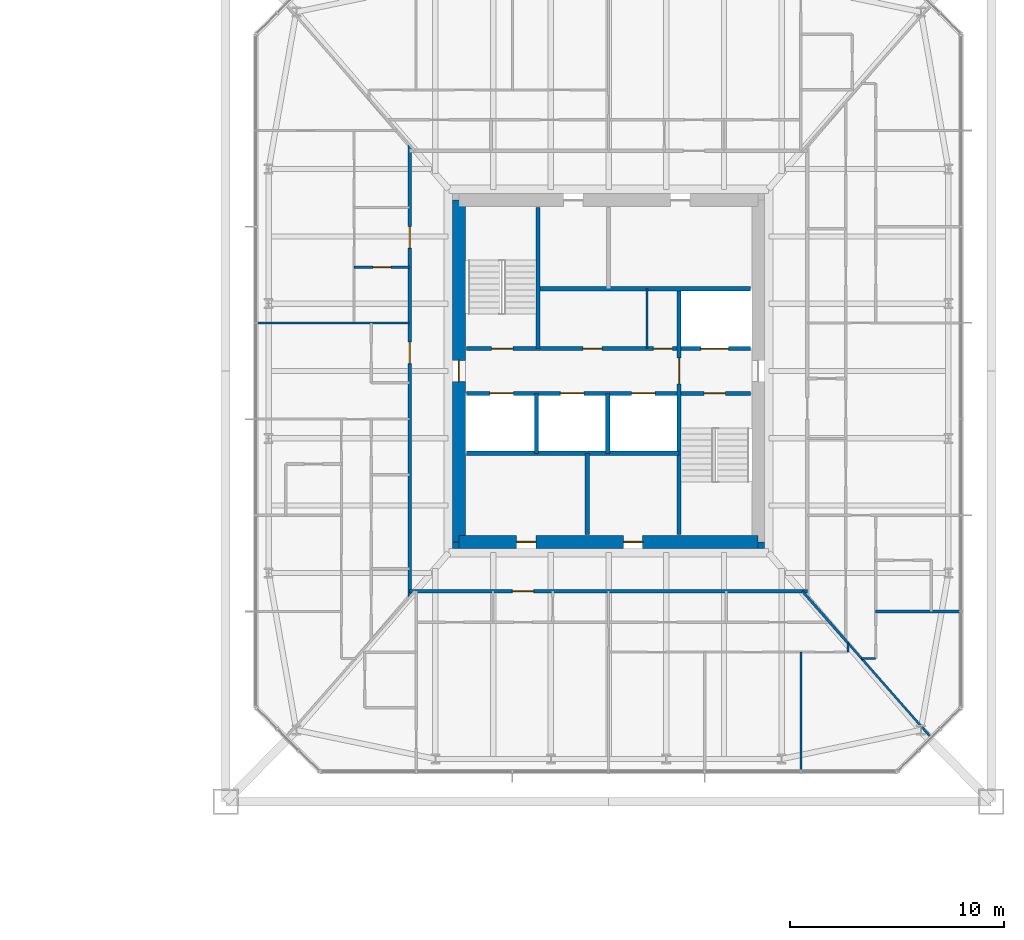
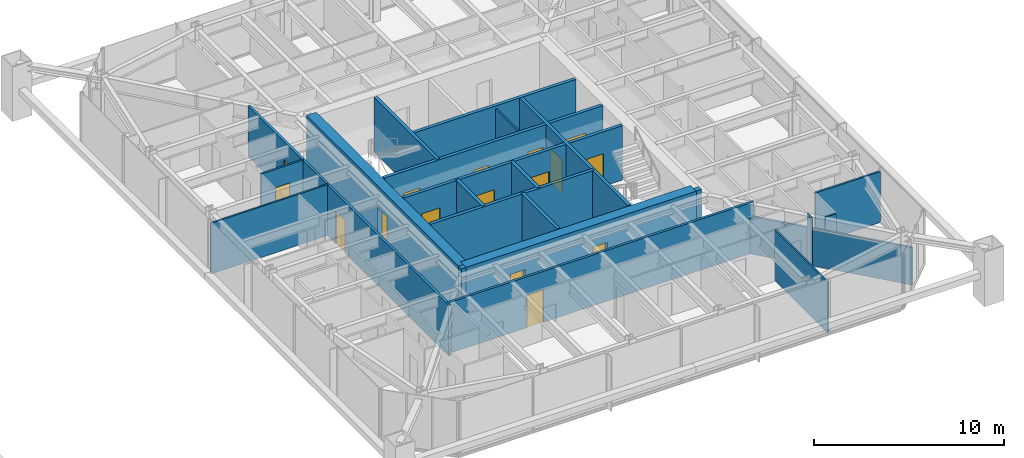
# One storey, part 20 of 27: 24 walls, 16 doors, 16 openings.
"""IFC4 building model written with IfcOpenShell, lengths in metres."""

from ifc_helpers import new_model, si_unit, direction, frame, frame_2d, origin, place, context, subcontext, project, spatial, rectangle, extrude, material, layer, layer_set, type_object, element, fill, save


model = new_model("IFC4")

# Units and contexts
model_context = context("Model", 3, precision=1e-05, world=origin(), true_north=direction((0.0, 1.0)))
body_context = subcontext(model_context, "Body", "Model", "MODEL_VIEW")
ifc_project = project(units=[si_unit("LENGTHUNIT", "METRE"), si_unit("AREAUNIT", "SQUARE_METRE"), si_unit("VOLUMEUNIT", "CUBIC_METRE"), si_unit("PLANEANGLEUNIT", "RADIAN"), si_unit("MASSUNIT", "GRAM", prefix="KILO")], contexts=[model_context])

# Site, building, storey
site_placement = place(None, origin())
site = spatial("IfcSite", under=ifc_project, at=site_placement, CompositionType="ELEMENT")
building_placement = place(site_placement, origin())
building = spatial("IfcBuilding", under=site, at=building_placement, Name="Iwan Alto Co-Living Towers", CompositionType="ELEMENT")
storey_placement = place(building_placement, frame((0.0, 0.0, 53.5)))
storey = spatial("IfcBuildingStorey", under=building, at=storey_placement, Name="L14", CompositionType="ELEMENT", Elevation=53.5)

# Wall, opening, door
ifc_material_1 = material(Name="Gypsum board")
ifc_layer_1 = layer(ifc_material_1, 0.02490234375, Name="Board", Category="Finish")
ifc_material_2 = material(Name="Steel ASTM A1003 ST33H cold-formed studs", Category="steel")
ifc_layer_2 = layer(ifc_material_2, 0.10009765625, Name="Studs", Category="Framing")
ifc_layer_3 = layer(ifc_material_1, 0.02490234375, Name="Board", Category="Finish")
ifc_layer_set_1 = layer_set([ifc_layer_1, ifc_layer_2, ifc_layer_3], Name="CORRIDOR WALL 150")
wall_type_1 = type_object("IfcWallType", Name="CORRIDOR WALL 150", PredefinedType="PARTITIONING", material=ifc_layer_set_1)
wall_1_placement = place(storey_placement, frame((53.699951171875, -10.300048828125, 0.0), z_axis=(0.0, 0.0, 1.0), x_axis=(1.0, 0.0, 0.0)))
wall_1 = element("IfcWall", 1, at=wall_1_placement, inside=storey, type_object=wall_type_1, Name="Partition L14", PredefinedType="PARTITIONING", context=body_context, shape_type="SweptSolid", body=[
    extrude(rectangle(XDim=18.60009765625, YDim=0.14990234375, at=frame_2d((9.300048828125, 0.0))), origin(), (0.0, 0.0, 1.0), 3.27001953125),
])
opening_1_placement = place(wall_1_placement, frame((4.800048828125, 0.0, 0.0)))
opening_1 = element("IfcOpeningElement", 2, at=opening_1_placement, cuts=wall_1, Name="Opening D3", PredefinedType="OPENING", context=body_context, shape_type="SweptSolid", body=[
    extrude(rectangle(XDim=1.0, YDim=2.10009765625, at=frame_2d((0.5, 1.050048828125))), frame((0.0, 0.0849609375, 0.0), z_axis=(0.0, -1.0, 0.0), x_axis=(1.0, 0.0, 0.0)), (0.0, 0.0, 1.0), 0.169921875),
])
ifc_material_3 = material(Name="Steel frame with timber leaf", Category="steel")
door_type_1 = type_object("IfcDoorType", Name="FLAT ENTRANCE DOOR FD30S 1000X2100", OperationType="SINGLE_SWING_LEFT", PredefinedType="DOOR", material=ifc_material_3)
door_1_placement = place(opening_1_placement, frame((1.0, 0.0, 0.0), z_axis=(0.0, 0.0, 1.0), x_axis=(-1.0, 0.0, 0.0)))
door_1 = element("IfcDoor", 3, at=door_1_placement, inside=storey, type_object=door_type_1, Name="Apartment foyer door L14", OperationType="SINGLE_SWING_RIGHT", OverallHeight=2.10009765625, OverallWidth=1.0, PredefinedType="DOOR", context=body_context, shape_type="SweptSolid", body=[
    extrude(rectangle(XDim=1.0, YDim=2.10009765625, at=frame_2d((0.5, 1.050048828125))), frame((0.0, 0.02490234375, 0.0), z_axis=(0.0, -1.0, 0.0), x_axis=(1.0, 0.0, 0.0)), (0.0, 0.0, 1.0), 0.050048828125),
])
fill(opening_1, door_1)

# Wall, openings, doors
wall_2_placement = place(storey_placement, frame((53.699951171875, -10.568115234375, 0.0), z_axis=(0.0, 0.0, 1.0), x_axis=(0.0, 1.0, 0.0)))
wall_2 = element("IfcWall", 4, at=wall_2_placement, inside=storey, type_object=wall_type_1, Name="Partition L14", PredefinedType="PARTITIONING", context=body_context, shape_type="SweptSolid", body=[
    extrude(rectangle(XDim=21.13623046875, YDim=0.14990234375, at=frame_2d((10.568115234375, 0.0))), origin(), (0.0, 0.0, 1.0), 3.27001953125),
])
opening_2_placement = place(wall_2_placement, frame((16.318115234375, 0.0, 0.0)))
opening_2 = element("IfcOpeningElement", 5, at=opening_2_placement, cuts=wall_2, Name="Opening D3", PredefinedType="OPENING", context=body_context, shape_type="SweptSolid", body=[
    extrude(rectangle(XDim=1.0, YDim=2.10009765625, at=frame_2d((0.5, 1.050048828125))), frame((0.0, 0.0849609375, 0.0), z_axis=(0.0, -1.0, 0.0), x_axis=(1.0, 0.0, 0.0)), (0.0, 0.0, 1.0), 0.169921875),
])
opening_3_placement = place(wall_2_placement, frame((10.91796875, 0.0, 0.0)))
opening_3 = element("IfcOpeningElement", 6, at=opening_3_placement, cuts=wall_2, Name="Opening D3", PredefinedType="OPENING", context=body_context, shape_type="SweptSolid", body=[
    extrude(rectangle(XDim=1.0, YDim=2.10009765625, at=frame_2d((0.5, 1.050048828125))), frame((0.0, 0.0849609375, 0.0), z_axis=(0.0, -1.0, 0.0), x_axis=(1.0, 0.0, 0.0)), (0.0, 0.0, 1.0), 0.169921875),
])
door_2_placement = place(opening_2_placement, origin())
door_2 = element("IfcDoor", 7, at=door_2_placement, inside=storey, type_object=door_type_1, Name="Apartment foyer door L14", OperationType="SINGLE_SWING_LEFT", OverallHeight=2.10009765625, OverallWidth=1.0, PredefinedType="DOOR", context=body_context, shape_type="SweptSolid", body=[
    extrude(rectangle(XDim=1.0, YDim=2.10009765625, at=frame_2d((0.5, 1.050048828125))), frame((0.0, 0.02490234375, 0.0), z_axis=(0.0, -1.0, 0.0), x_axis=(1.0, 0.0, 0.0)), (0.0, 0.0, 1.0), 0.050048828125),
])
fill(opening_2, door_2)
door_3_placement = place(opening_3_placement, origin())
door_3 = element("IfcDoor", 8, at=door_3_placement, inside=storey, type_object=door_type_1, Name="Apartment foyer door L14", OperationType="SINGLE_SWING_LEFT", OverallHeight=2.10009765625, OverallWidth=1.0, PredefinedType="DOOR", context=body_context, shape_type="SweptSolid", body=[
    extrude(rectangle(XDim=1.0, YDim=2.10009765625, at=frame_2d((0.5, 1.050048828125))), frame((0.0, 0.02490234375, 0.0), z_axis=(0.0, -1.0, 0.0), x_axis=(1.0, 0.0, 0.0)), (0.0, 0.0, 1.0), 0.050048828125),
])
fill(opening_3, door_3)

# Walls
ifc_layer_4 = layer(ifc_material_1, 0.012451171875, Name="Board", Category="Finish")
ifc_layer_5 = layer(ifc_material_2, 0.074951171875, Name="Studs", Category="Framing")
ifc_layer_6 = layer(ifc_material_1, 0.012451171875, Name="Board", Category="Finish")
ifc_layer_set_2 = layer_set([ifc_layer_4, ifc_layer_5, ifc_layer_6], Name="PARTITION 100")
wall_type_2 = type_object("IfcWallType", Name="PARTITION 100", PredefinedType="PARTITIONING", material=ifc_layer_set_2)
wall_3_placement = place(storey_placement, frame((74.8359375, -13.449951171875, 0.0), z_axis=(0.0, 0.0, 1.0), x_axis=(1.0, 0.0, 0.0)))
element("IfcWall", 9, at=wall_3_placement, inside=storey, type_object=wall_type_2, Name="Partition L14", PredefinedType="PARTITIONING", context=body_context, shape_type="SweptSolid", body=[
    extrude(rectangle(XDim=0.6640625, YDim=0.10009765625, at=frame_2d((0.33203125, 0.0))), origin(), (0.0, 0.0, 1.0), 3.27001953125),
])
wall_4_placement = place(storey_placement, frame((46.56005859375, 2.25, 0.0), z_axis=(0.0, 0.0, 1.0), x_axis=(1.0, 0.0, 0.0)))
element("IfcWall", 10, at=wall_4_placement, inside=storey, type_object=wall_type_2, Name="Partition L14", PredefinedType="PARTITIONING", context=body_context, shape_type="SweptSolid", body=[
    extrude(rectangle(XDim=7.139892578125, YDim=0.10009765625, at=frame_2d((3.56982421875, 0.0))), origin(), (0.0, 0.0, 1.0), 3.27001953125),
])
wall_5_placement = place(storey_placement, frame((74.199951171875, -13.14990234375, 0.0), z_axis=(0.0, 0.0, 1.0), x_axis=(0.0, 1.0, 0.0)))
element("IfcWall", 11, at=wall_5_placement, inside=storey, type_object=wall_type_2, Name="Partition L14", PredefinedType="PARTITIONING", context=body_context, shape_type="SweptSolid", body=[
    extrude(rectangle(XDim=0.4228515625, YDim=0.10009765625, at=frame_2d((0.21142578125, 0.0))), origin(), (0.0, 0.0, 1.0), 3.27001953125),
])
wall_6_placement = place(storey_placement, frame((72.0, -18.68994140625, 0.0), z_axis=(0.0, 0.0, 1.0), x_axis=(0.0, 1.0, 0.0)))
element("IfcWall", 12, at=wall_6_placement, inside=storey, type_object=wall_type_2, Name="Partition L14", PredefinedType="PARTITIONING", context=body_context, shape_type="SweptSolid", body=[
    extrude(rectangle(XDim=5.5400390625, YDim=0.10009765625, at=frame_2d((2.77001953125, 0.0))), origin(), (0.0, 0.0, 1.0), 3.27001953125),
])
wall_7_placement = place(storey_placement, frame((64.800048828125, 1.050048828125, 0.0), z_axis=(0.0, 0.0, 1.0), x_axis=(0.0, 1.0, 0.0)))
element("IfcWall", 13, at=wall_7_placement, inside=storey, type_object=wall_type_2, Name="Partition L14", PredefinedType="PARTITIONING", context=body_context, shape_type="SweptSolid", body=[
    extrude(rectangle(XDim=2.800048828125, YDim=0.10009765625, at=frame_2d((1.39990234375, 0.0))), origin(), (0.0, 0.0, 1.0), 3.300048828125),
])
wall_8_placement = place(storey_placement, frame((78.056884765625, -17.109130859375, 0.0), z_axis=(0.0, 0.0, 1.0), x_axis=(-0.660698595885, 0.750651294141, 0.0)))
element("IfcWall", 14, at=wall_8_placement, inside=storey, type_object=wall_type_2, Name="Partition L14", PredefinedType="PARTITIONING", context=body_context, shape_type="SweptSolid", body=[
    extrude(rectangle(XDim=5.838134765625, YDim=0.10009765625, at=frame_2d((2.9189453125, 0.0))), origin(), (0.0, 0.0, 1.0), 2.42919921875),
])
ifc_material_4 = material(Name="Concrete f'c 70 MPa", Category="concrete")
ifc_layer_7 = layer(ifc_material_4, 0.199951171875)
ifc_layer_set_3 = layer_set([ifc_layer_7], Name="SHAFT WALL 200")
wall_type_3 = type_object("IfcWallType", Name="SHAFT WALL 200", PredefinedType="SOLIDWALL", material=ifc_layer_set_3)
wall_9_placement = place(storey_placement, frame((56.360107421875, -3.85009765625, 0.0), z_axis=(0.0, 0.0, 1.0), x_axis=(1.0, 0.0, 0.0)))
element("IfcWall", 15, at=wall_9_placement, inside=storey, type_object=wall_type_3, Name="Shaft wall L14", PredefinedType="SOLIDWALL", context=body_context, shape_type="SweptSolid", body=[
    extrude(rectangle(XDim=9.93994140625, YDim=0.199951171875, at=frame_2d((4.969970703125, 0.0))), origin(), (0.0, 0.0, 1.0), 3.5),
])

# Wall, openings, doors
wall_10_placement = place(storey_placement, frame((56.360107421875, -1.050048828125, 0.0), z_axis=(0.0, 0.0, 1.0), x_axis=(1.0, 0.0, 0.0)))
wall_10 = element("IfcWall", 16, at=wall_10_placement, inside=storey, type_object=wall_type_3, Name="Shaft wall L14", PredefinedType="SOLIDWALL", context=body_context, shape_type="SweptSolid", body=[
    extrude(rectangle(XDim=13.27978515625, YDim=0.199951171875, at=frame_2d((6.639892578125, 0.0))), origin(), (0.0, 0.0, 1.0), 3.5),
])
opening_4_placement = place(wall_10_placement, frame((11.110107421875, 0.0, 0.0)))
opening_4 = element("IfcOpeningElement", 17, at=opening_4_placement, cuts=wall_10, Name="Opening D5", PredefinedType="OPENING", context=body_context, shape_type="SweptSolid", body=[
    extrude(rectangle(XDim=1.0, YDim=2.10009765625, at=frame_2d((0.5, 1.050048828125))), frame((0.0, 0.10986328125, 0.0), z_axis=(0.0, -1.0, 0.0), x_axis=(1.0, 0.0, 0.0)), (0.0, 0.0, 1.0), 0.219970703125),
])
opening_5_placement = place(wall_10_placement, frame((1.0869140625, 0.0, 0.0)))
opening_5 = element("IfcOpeningElement", 18, at=opening_5_placement, cuts=wall_10, Name="Opening LD", PredefinedType="OPENING", context=body_context, shape_type="SweptSolid", body=[
    extrude(rectangle(XDim=1.10009765625, YDim=2.10009765625, at=frame_2d((0.550048828125, 1.050048828125))), frame((0.0, 0.10986328125, 0.0), z_axis=(0.0, -1.0, 0.0), x_axis=(1.0, 0.0, 0.0)), (0.0, 0.0, 1.0), 0.219970703125),
])
opening_6_placement = place(wall_10_placement, frame((4.389892578125, 0.0, 0.0)))
opening_6 = element("IfcOpeningElement", 19, at=opening_6_placement, cuts=wall_10, Name="Opening LD", PredefinedType="OPENING", context=body_context, shape_type="SweptSolid", body=[
    extrude(rectangle(XDim=1.10009765625, YDim=2.10009765625, at=frame_2d((0.550048828125, 1.050048828125))), frame((0.0, 0.10986328125, 0.0), z_axis=(0.0, -1.0, 0.0), x_axis=(1.0, 0.0, 0.0)), (0.0, 0.0, 1.0), 0.219970703125),
])
opening_7_placement = place(wall_10_placement, frame((7.72412109375, 0.0, 0.0)))
opening_7 = element("IfcOpeningElement", 20, at=opening_7_placement, cuts=wall_10, Name="Opening LD", PredefinedType="OPENING", context=body_context, shape_type="SweptSolid", body=[
    extrude(rectangle(XDim=1.10009765625, YDim=2.10009765625, at=frame_2d((0.550048828125, 1.050048828125))), frame((0.0, 0.10986328125, 0.0), z_axis=(0.0, -1.0, 0.0), x_axis=(1.0, 0.0, 0.0)), (0.0, 0.0, 1.0), 0.219970703125),
])
ifc_material_5 = material(Name="Steel frame with timber leaf", Category="steel")
door_type_2 = type_object("IfcDoorType", Name="LIFT LANDING DOOR 1100X2100", OperationType="DOUBLE_DOOR_SLIDING", PredefinedType="DOOR", material=ifc_material_5)
door_4_placement = place(opening_5_placement, origin())
door_4 = element("IfcDoor", 21, at=door_4_placement, inside=storey, type_object=door_type_2, Name="Lift P5-1 landing door L14", OperationType="DOUBLE_DOOR_SLIDING", OverallHeight=2.10009765625, OverallWidth=1.10009765625, PredefinedType="DOOR", context=body_context, shape_type="SweptSolid", body=[
    extrude(rectangle(XDim=1.10009765625, YDim=2.10009765625, at=frame_2d((0.550048828125, 1.050048828125))), frame((0.0, 0.02490234375, 0.0), z_axis=(0.0, -1.0, 0.0), x_axis=(1.0, 0.0, 0.0)), (0.0, 0.0, 1.0), 0.050048828125),
])
fill(opening_5, door_4)
door_5_placement = place(opening_6_placement, origin())
door_5 = element("IfcDoor", 22, at=door_5_placement, inside=storey, type_object=door_type_2, Name="Lift P5-2 landing door L14", OperationType="DOUBLE_DOOR_SLIDING", OverallHeight=2.10009765625, OverallWidth=1.10009765625, PredefinedType="DOOR", context=body_context, shape_type="SweptSolid", body=[
    extrude(rectangle(XDim=1.10009765625, YDim=2.10009765625, at=frame_2d((0.550048828125, 1.050048828125))), frame((0.0, 0.02490234375, 0.0), z_axis=(0.0, -1.0, 0.0), x_axis=(1.0, 0.0, 0.0)), (0.0, 0.0, 1.0), 0.050048828125),
])
fill(opening_6, door_5)
door_6_placement = place(opening_7_placement, origin())
door_6 = element("IfcDoor", 23, at=door_6_placement, inside=storey, type_object=door_type_2, Name="Lift P6-3 landing door L14", OperationType="DOUBLE_DOOR_SLIDING", OverallHeight=2.10009765625, OverallWidth=1.10009765625, PredefinedType="DOOR", context=body_context, shape_type="SweptSolid", body=[
    extrude(rectangle(XDim=1.10009765625, YDim=2.10009765625, at=frame_2d((0.550048828125, 1.050048828125))), frame((0.0, 0.02490234375, 0.0), z_axis=(0.0, -1.0, 0.0), x_axis=(1.0, 0.0, 0.0)), (0.0, 0.0, 1.0), 0.050048828125),
])
fill(opening_7, door_6)
ifc_material_6 = material(Name="Steel frame with timber leaf", Category="steel")
door_type_3 = type_object("IfcDoorType", Name="STAIR DOOR FD120S 1000X2100", OperationType="SINGLE_SWING_LEFT", PredefinedType="DOOR", material=ifc_material_6)
door_7_placement = place(opening_4_placement, frame((1.0, 0.0, 0.0), z_axis=(0.0, 0.0, 1.0), x_axis=(-1.0, 0.0, 0.0)))
door_7 = element("IfcDoor", 24, at=door_7_placement, inside=storey, type_object=door_type_3, Name="Stair S2 door L14", OperationType="SINGLE_SWING_RIGHT", OverallHeight=2.10009765625, OverallWidth=1.0, PredefinedType="DOOR", context=body_context, shape_type="SweptSolid", body=[
    extrude(rectangle(XDim=1.0, YDim=2.10009765625, at=frame_2d((0.5, 1.050048828125))), frame((0.0, 0.02490234375, 0.0), z_axis=(0.0, -1.0, 0.0), x_axis=(1.0, 0.0, 0.0)), (0.0, 0.0, 1.0), 0.050048828125),
])
fill(opening_4, door_7)

wall_11_placement = place(storey_placement, frame((56.360107421875, 1.050048828125, 0.0), z_axis=(0.0, 0.0, 1.0), x_axis=(1.0, 0.0, 0.0)))
wall_11 = element("IfcWall", 25, at=wall_11_placement, inside=storey, type_object=wall_type_3, Name="Shaft wall L14", PredefinedType="SOLIDWALL", context=body_context, shape_type="SweptSolid", body=[
    extrude(rectangle(XDim=13.27978515625, YDim=0.199951171875, at=frame_2d((6.639892578125, 0.0))), origin(), (0.0, 0.0, 1.0), 3.5),
])
opening_8_placement = place(wall_11_placement, frame((1.169921875, 0.0, 0.0)))
opening_8 = element("IfcOpeningElement", 26, at=opening_8_placement, cuts=wall_11, Name="Opening D5", PredefinedType="OPENING", context=body_context, shape_type="SweptSolid", body=[
    extrude(rectangle(XDim=1.0, YDim=2.10009765625, at=frame_2d((0.5, 1.050048828125))), frame((0.0, 0.10986328125, 0.0), z_axis=(0.0, -1.0, 0.0), x_axis=(1.0, 0.0, 0.0)), (0.0, 0.0, 1.0), 0.219970703125),
])
opening_9_placement = place(wall_11_placement, frame((5.43994140625, 0.0, 0.0)))
opening_9 = element("IfcOpeningElement", 27, at=opening_9_placement, cuts=wall_11, Name="Opening D8", PredefinedType="OPENING", context=body_context, shape_type="SweptSolid", body=[
    extrude(rectangle(XDim=0.89990234375, YDim=2.10009765625, at=frame_2d((0.449951171875, 1.050048828125))), frame((0.0, 0.10986328125, 0.0), z_axis=(0.0, -1.0, 0.0), x_axis=(1.0, 0.0, 0.0)), (0.0, 0.0, 1.0), 0.219970703125),
])
opening_10_placement = place(wall_11_placement, frame((8.739990234375, 0.0, 0.0)))
opening_10 = element("IfcOpeningElement", 28, at=opening_10_placement, cuts=wall_11, Name="Opening D15", PredefinedType="OPENING", context=body_context, shape_type="SweptSolid", body=[
    extrude(rectangle(XDim=0.89990234375, YDim=2.10009765625, at=frame_2d((0.449951171875, 1.050048828125))), frame((0.0, 0.10986328125, 0.0), z_axis=(0.0, -1.0, 0.0), x_axis=(1.0, 0.0, 0.0)), (0.0, 0.0, 1.0), 0.219970703125),
])
opening_11_placement = place(wall_11_placement, frame((10.9599609375, 0.0, 0.0)))
opening_11 = element("IfcOpeningElement", 29, at=opening_11_placement, cuts=wall_11, Name="Opening LD2", PredefinedType="OPENING", context=body_context, shape_type="SweptSolid", body=[
    extrude(rectangle(XDim=1.300048828125, YDim=2.10009765625, at=frame_2d((0.64990234375, 1.050048828125))), frame((0.0, 0.10986328125, 0.0), z_axis=(0.0, -1.0, 0.0), x_axis=(1.0, 0.0, 0.0)), (0.0, 0.0, 1.0), 0.219970703125),
])
ifc_material_7 = material(Name="Steel frame with timber leaf", Category="steel")
door_type_4 = type_object("IfcDoorType", Name="CORE ROOM DOOR FD60S 900X2100", OperationType="SINGLE_SWING_LEFT", PredefinedType="DOOR", material=ifc_material_7)
door_8_placement = place(opening_10_placement, origin())
door_8 = element("IfcDoor", 30, at=door_8_placement, inside=storey, type_object=door_type_4, Name="IT room door L14", OperationType="SINGLE_SWING_LEFT", OverallHeight=2.10009765625, OverallWidth=0.89990234375, PredefinedType="DOOR", context=body_context, shape_type="SweptSolid", body=[
    extrude(rectangle(XDim=0.89990234375, YDim=2.10009765625, at=frame_2d((0.449951171875, 1.050048828125))), frame((0.0, 0.02490234375, 0.0), z_axis=(0.0, -1.0, 0.0), x_axis=(1.0, 0.0, 0.0)), (0.0, 0.0, 1.0), 0.050048828125),
])
fill(opening_10, door_8)
ifc_material_8 = material(Name="Steel frame with timber leaf", Category="steel")
door_type_5 = type_object("IfcDoorType", Name="LIFT LANDING DOOR 1300X2100", OperationType="SLIDING_TO_LEFT", PredefinedType="DOOR", material=ifc_material_8)
door_9_placement = place(opening_11_placement, origin())
door_9 = element("IfcDoor", 31, at=door_9_placement, inside=storey, type_object=door_type_5, Name="Lift FL2 landing door L14", OperationType="SLIDING_TO_LEFT", OverallHeight=2.10009765625, OverallWidth=1.300048828125, PredefinedType="DOOR", context=body_context, shape_type="SweptSolid", body=[
    extrude(rectangle(XDim=1.300048828125, YDim=2.10009765625, at=frame_2d((0.64990234375, 1.050048828125))), frame((0.0, 0.02490234375, 0.0), z_axis=(0.0, -1.0, 0.0), x_axis=(1.0, 0.0, 0.0)), (0.0, 0.0, 1.0), 0.050048828125),
])
fill(opening_11, door_9)
ifc_material_9 = material(Name="Steel frame with timber leaf", Category="steel")
door_type_6 = type_object("IfcDoorType", Name="RISER DOOR FD120 900X2100", OperationType="SINGLE_SWING_LEFT", PredefinedType="DOOR", material=ifc_material_9)
door_10_placement = place(opening_9_placement, origin())
door_10 = element("IfcDoor", 32, at=door_10_placement, inside=storey, type_object=door_type_6, Name="Riser room door L14", OperationType="SINGLE_SWING_LEFT", OverallHeight=2.10009765625, OverallWidth=0.89990234375, PredefinedType="DOOR", context=body_context, shape_type="SweptSolid", body=[
    extrude(rectangle(XDim=0.89990234375, YDim=2.10009765625, at=frame_2d((0.449951171875, 1.050048828125))), frame((0.0, 0.02490234375, 0.0), z_axis=(0.0, -1.0, 0.0), x_axis=(1.0, 0.0, 0.0)), (0.0, 0.0, 1.0), 0.050048828125),
])
fill(opening_9, door_10)
door_11_placement = place(opening_8_placement, origin())
door_11 = element("IfcDoor", 33, at=door_11_placement, inside=storey, type_object=door_type_3, Name="Stair S1 door L14", OperationType="SINGLE_SWING_RIGHT", OverallHeight=2.10009765625, OverallWidth=1.0, PredefinedType="DOOR", context=body_context, shape_type="SweptSolid", body=[
    extrude(rectangle(XDim=1.0, YDim=2.10009765625, at=frame_2d((0.5, 1.050048828125))), frame((0.0, 0.02490234375, 0.0), z_axis=(0.0, -1.0, 0.0), x_axis=(1.0, 0.0, 0.0)), (0.0, 0.0, 1.0), 0.050048828125),
])
fill(opening_8, door_11)

# Wall
wall_12_placement = place(storey_placement, frame((59.699951171875, 3.85009765625, 0.0), z_axis=(0.0, 0.0, 1.0), x_axis=(1.0, 0.0, 0.0)))
element("IfcWall", 34, at=wall_12_placement, inside=storey, type_object=wall_type_3, Name="Shaft wall L14", PredefinedType="SOLIDWALL", context=body_context, shape_type="SweptSolid", body=[
    extrude(rectangle(XDim=9.93994140625, YDim=0.199951171875, at=frame_2d((4.969970703125, 0.0))), origin(), (0.0, 0.0, 1.0), 3.5),
])

# Wall, opening, door
wall_13_placement = place(storey_placement, frame((66.300048828125, -7.639892578125, 0.0), z_axis=(0.0, 0.0, 1.0), x_axis=(0.0, 1.0, 0.0)))
wall_13 = element("IfcWall", 35, at=wall_13_placement, inside=storey, type_object=wall_type_3, Name="Shaft wall L14", PredefinedType="SOLIDWALL", context=body_context, shape_type="SweptSolid", body=[
    extrude(rectangle(XDim=11.489990234375, YDim=0.199951171875, at=frame_2d((5.7451171875, 0.0))), origin(), (0.0, 0.0, 1.0), 3.5),
])
opening_12_placement = place(wall_13_placement, frame((7.0400390625, 0.0, 0.0)))
opening_12 = element("IfcOpeningElement", 36, at=opening_12_placement, cuts=wall_13, Name="Opening D6", PredefinedType="OPENING", context=body_context, shape_type="SweptSolid", body=[
    extrude(rectangle(XDim=1.199951171875, YDim=2.10009765625, at=frame_2d((0.60009765625, 1.050048828125))), frame((0.0, 0.10986328125, 0.0), z_axis=(0.0, -1.0, 0.0), x_axis=(1.0, 0.0, 0.0)), (0.0, 0.0, 1.0), 0.219970703125),
])
ifc_material_10 = material(Name="Steel frame with timber leaf", Category="steel")
door_type_7 = type_object("IfcDoorType", Name="LOBBY DOOR FD120S 1200X2100", OperationType="SINGLE_SWING_LEFT", PredefinedType="DOOR", material=ifc_material_10)
door_12_placement = place(opening_12_placement, frame((1.199951171875, 0.0, 0.0), z_axis=(0.0, 0.0, 1.0), x_axis=(-1.0, 0.0, 0.0)))
door_12 = element("IfcDoor", 37, at=door_12_placement, inside=storey, type_object=door_type_7, Name="Firefighting lobby door L14", OperationType="SINGLE_SWING_RIGHT", OverallHeight=2.10009765625, OverallWidth=1.199951171875, PredefinedType="DOOR", context=body_context, shape_type="SweptSolid", body=[
    extrude(rectangle(XDim=1.199951171875, YDim=2.10009765625, at=frame_2d((0.60009765625, 1.050048828125))), frame((0.0, 0.02490234375, 0.0), z_axis=(0.0, -1.0, 0.0), x_axis=(1.0, 0.0, 0.0)), (0.0, 0.0, 1.0), 0.050048828125),
])
fill(opening_12, door_12)

# Walls
wall_14_placement = place(storey_placement, frame((62.967041015625, -3.85009765625, 0.0), z_axis=(0.0, 0.0, 1.0), x_axis=(0.0, 1.0, 0.0)))
element("IfcWall", 38, at=wall_14_placement, inside=storey, type_object=wall_type_3, Name="Shaft wall L14", PredefinedType="SOLIDWALL", context=body_context, shape_type="SweptSolid", body=[
    extrude(rectangle(XDim=2.800048828125, YDim=0.199951171875, at=frame_2d((1.39990234375, 0.0))), origin(), (0.0, 0.0, 1.0), 3.5),
])
wall_15_placement = place(storey_placement, frame((62.0, -7.639892578125, 0.0), z_axis=(0.0, 0.0, 1.0), x_axis=(0.0, 1.0, 0.0)))
element("IfcWall", 39, at=wall_15_placement, inside=storey, type_object=wall_type_3, Name="Shaft wall L14", PredefinedType="SOLIDWALL", context=body_context, shape_type="SweptSolid", body=[
    extrude(rectangle(XDim=3.789794921875, YDim=0.199951171875, at=frame_2d((1.89501953125, 0.0))), origin(), (0.0, 0.0, 1.0), 3.5),
])
wall_16_placement = place(storey_placement, frame((59.699951171875, 1.050048828125, 0.0), z_axis=(0.0, 0.0, 1.0), x_axis=(0.0, 1.0, 0.0)))
element("IfcWall", 40, at=wall_16_placement, inside=storey, type_object=wall_type_3, Name="Shaft wall L14", PredefinedType="SOLIDWALL", context=body_context, shape_type="SweptSolid", body=[
    extrude(rectangle(XDim=6.58984375, YDim=0.199951171875, at=frame_2d((3.294921875, 0.0))), origin(), (0.0, 0.0, 1.0), 3.5),
])
wall_17_placement = place(storey_placement, frame((59.633056640625, -3.85009765625, 0.0), z_axis=(0.0, 0.0, 1.0), x_axis=(0.0, 1.0, 0.0)))
element("IfcWall", 41, at=wall_17_placement, inside=storey, type_object=wall_type_3, Name="Shaft wall L14", PredefinedType="SOLIDWALL", context=body_context, shape_type="SweptSolid", body=[
    extrude(rectangle(XDim=2.800048828125, YDim=0.199951171875, at=frame_2d((1.39990234375, 0.0))), origin(), (0.0, 0.0, 1.0), 3.5),
])
ifc_material_11 = material(Name="Concrete f'c 70 MPa", Category="concrete")
ifc_layer_8 = layer(ifc_material_11, 0.300048828125)
ifc_layer_set_4 = layer_set([ifc_layer_8], Name="T2 CORE CORNER FILL 300")
wall_type_4 = type_object("IfcWallType", Name="T2 CORE CORNER FILL 300", PredefinedType="SOLIDWALL", material=ifc_layer_set_4)
for number, where, z_axis, x_axis, name in (
    (42, (55.699951171875, -8.14990234375, 0.0), (0.0, 0.0, 1.0), (1.0, 0.0, 0.0), "T2 core corner SW L14"),
    (43, (70.0, -8.14990234375, 0.0), (0.0, 0.0, 1.0), (1.0, 0.0, 0.0), "T2 core corner SE L14"),
):
    element("IfcWall", number, at=place(storey_placement, frame(where, z_axis=z_axis, x_axis=x_axis)), inside=storey, type_object=wall_type_4, Name=name, PredefinedType="SOLIDWALL", context=body_context, shape_type="SweptSolid", body=[
        extrude(rectangle(XDim=0.300048828125, YDim=0.300048828125, at=frame_2d((0.14990234375, 0.0))), origin(), (0.0, 0.0, 1.0), 3.5),
    ])

# Wall, openings, doors
ifc_material_12 = material(Name="Concrete f'c 70 MPa", Category="concrete")
ifc_layer_9 = layer(ifc_material_12, 0.60009765625)
ifc_layer_set_5 = layer_set([ifc_layer_9], Name="T2 CORE WALL 600")
wall_type_5 = type_object("IfcWallType", Name="T2 CORE WALL 600", PredefinedType="SHEAR", material=ifc_layer_set_5)
wall_18_placement = place(storey_placement, frame((56.0, -8.0, 0.0), z_axis=(0.0, 0.0, 1.0), x_axis=(1.0, 0.0, 0.0)))
wall_18 = element("IfcWall", 44, at=wall_18_placement, inside=storey, type_object=wall_type_5, Name="T2 core wall S L14", PredefinedType="SHEAR", context=body_context, shape_type="SweptSolid", body=[
    extrude(rectangle(XDim=14.0, YDim=0.60009765625, at=frame_2d((7.0, 0.0))), origin(), (0.0, 0.0, 1.0), 3.5),
])
opening_13_placement = place(wall_18_placement, frame((2.699951171875, 0.0, 0.0)))
opening_13 = element("IfcOpeningElement", 45, at=opening_13_placement, cuts=wall_18, Name="Opening D8", PredefinedType="OPENING", context=body_context, shape_type="SweptSolid", body=[
    extrude(rectangle(XDim=0.89990234375, YDim=2.10009765625, at=frame_2d((0.449951171875, 1.050048828125))), frame((0.0, 0.31005859375, 0.0), z_axis=(0.0, -1.0, 0.0), x_axis=(1.0, 0.0, 0.0)), (0.0, 0.0, 1.0), 0.6201171875),
])
opening_14_placement = place(wall_18_placement, frame((7.699951171875, 0.0, 0.0)))
opening_14 = element("IfcOpeningElement", 46, at=opening_14_placement, cuts=wall_18, Name="Opening D8", PredefinedType="OPENING", context=body_context, shape_type="SweptSolid", body=[
    extrude(rectangle(XDim=0.89990234375, YDim=2.10009765625, at=frame_2d((0.449951171875, 1.050048828125))), frame((0.0, 0.31005859375, 0.0), z_axis=(0.0, -1.0, 0.0), x_axis=(1.0, 0.0, 0.0)), (0.0, 0.0, 1.0), 0.6201171875),
])
door_13_placement = place(opening_13_placement, origin())
door_13 = element("IfcDoor", 47, at=door_13_placement, inside=storey, type_object=door_type_6, Name="Refuse room core door L14", OperationType="SINGLE_SWING_LEFT", OverallHeight=2.10009765625, OverallWidth=0.89990234375, PredefinedType="DOOR", context=body_context, shape_type="SweptSolid", body=[
    extrude(rectangle(XDim=0.89990234375, YDim=2.10009765625, at=frame_2d((0.449951171875, 1.050048828125))), frame((0.0, 0.02490234375, 0.0), z_axis=(0.0, -1.0, 0.0), x_axis=(1.0, 0.0, 0.0)), (0.0, 0.0, 1.0), 0.050048828125),
])
fill(opening_13, door_13)
door_14_placement = place(opening_14_placement, origin())
door_14 = element("IfcDoor", 48, at=door_14_placement, inside=storey, type_object=door_type_6, Name="Telecom riser core door L14", OperationType="SINGLE_SWING_LEFT", OverallHeight=2.10009765625, OverallWidth=0.89990234375, PredefinedType="DOOR", context=body_context, shape_type="SweptSolid", body=[
    extrude(rectangle(XDim=0.89990234375, YDim=2.10009765625, at=frame_2d((0.449951171875, 1.050048828125))), frame((0.0, 0.02490234375, 0.0), z_axis=(0.0, -1.0, 0.0), x_axis=(1.0, 0.0, 0.0)), (0.0, 0.0, 1.0), 0.050048828125),
])
fill(opening_14, door_14)

# Wall, opening, door
wall_19_placement = place(storey_placement, frame((56.0, 8.0, 0.0), z_axis=(0.0, 0.0, 1.0), x_axis=(0.0, -1.0, 0.0)))
wall_19 = element("IfcWall", 49, at=wall_19_placement, inside=storey, type_object=wall_type_5, Name="T2 core wall W L14", PredefinedType="SHEAR", context=body_context, shape_type="SweptSolid", body=[
    extrude(rectangle(XDim=16.0, YDim=0.60009765625, at=frame_2d((8.0, 0.0))), origin(), (0.0, 0.0, 1.0), 3.5),
])
opening_15_placement = place(wall_19_placement, frame((7.5, 0.0, 0.0)))
opening_15 = element("IfcOpeningElement", 50, at=opening_15_placement, cuts=wall_19, Name="Opening D7", PredefinedType="OPENING", context=body_context, shape_type="SweptSolid", body=[
    extrude(rectangle(XDim=1.0, YDim=2.10009765625, at=frame_2d((0.5, 1.050048828125))), frame((0.0, 0.31005859375, 0.0), z_axis=(0.0, -1.0, 0.0), x_axis=(1.0, 0.0, 0.0)), (0.0, 0.0, 1.0), 0.6201171875),
])
ifc_material_13 = material(Name="Steel frame with timber leaf", Category="steel")
door_type_8 = type_object("IfcDoorType", Name="CORE DOOR FD120S 1000X2100", OperationType="SINGLE_SWING_LEFT", PredefinedType="DOOR", material=ifc_material_13)
door_15_placement = place(opening_15_placement, origin())
door_15 = element("IfcDoor", 51, at=door_15_placement, inside=storey, type_object=door_type_8, Name="Lift lobby core door L14", OperationType="SINGLE_SWING_RIGHT", OverallHeight=2.10009765625, OverallWidth=1.0, PredefinedType="DOOR", context=body_context, shape_type="SweptSolid", body=[
    extrude(rectangle(XDim=1.0, YDim=2.10009765625, at=frame_2d((0.5, 1.050048828125))), frame((0.0, 0.02490234375, 0.0), z_axis=(0.0, -1.0, 0.0), x_axis=(1.0, 0.0, 0.0)), (0.0, 0.0, 1.0), 0.050048828125),
])
fill(opening_15, door_15)

# Wall
ifc_material_14 = material(Name="Cement board")
ifc_layer_10 = layer(ifc_material_14, 0.012451171875, Name="Board", Category="Finish")
ifc_layer_11 = layer(ifc_material_2, 0.094970703125, Name="Studs", Category="Framing")
ifc_layer_12 = layer(ifc_material_14, 0.012451171875, Name="Board", Category="Finish")
ifc_layer_set_6 = layer_set([ifc_layer_10, ifc_layer_11, ifc_layer_12], Name="WET AREA PARTITION 120")
wall_type_6 = type_object("IfcWallType", Name="WET AREA PARTITION 120", PredefinedType="PARTITIONING", material=ifc_layer_set_6)
wall_20_placement = place(storey_placement, frame((75.5, -11.25, 0.0), z_axis=(0.0, 0.0, 1.0), x_axis=(1.0, 0.0, 0.0)))
element("IfcWall", 52, at=wall_20_placement, inside=storey, type_object=wall_type_6, Name="Partition L14", PredefinedType="PARTITIONING", context=body_context, shape_type="SweptSolid", body=[
    extrude(rectangle(XDim=3.93994140625, YDim=0.1201171875, at=frame_2d((1.969970703125, 0.0))), origin(), (0.0, 0.0, 1.0), 3.27001953125),
])

# Wall, opening, door
wall_21_placement = place(storey_placement, frame((51.10009765625, 4.85009765625, 0.0), z_axis=(0.0, 0.0, 1.0), x_axis=(1.0, 0.0, 0.0)))
wall_21 = element("IfcWall", 53, at=wall_21_placement, inside=storey, type_object=wall_type_6, Name="Partition L14", PredefinedType="PARTITIONING", context=body_context, shape_type="SweptSolid", body=[
    extrude(rectangle(XDim=2.599853515625, YDim=0.1201171875, at=frame_2d((1.2998046875, 0.0))), origin(), (0.0, 0.0, 1.0), 3.27001953125),
])
opening_16_placement = place(wall_21_placement, frame((0.875, 0.0, 0.0)))
opening_16 = element("IfcOpeningElement", 54, at=opening_16_placement, cuts=wall_21, Name="Opening D2", PredefinedType="OPENING", context=body_context, shape_type="SweptSolid", body=[
    extrude(rectangle(XDim=0.85009765625, YDim=2.10009765625, at=frame_2d((0.425048828125, 1.050048828125))), frame((0.0, 0.070068359375, 0.0), z_axis=(0.0, -1.0, 0.0), x_axis=(1.0, 0.0, 0.0)), (0.0, 0.0, 1.0), 0.14013671875),
])
ifc_material_15 = material(Name="Timber leaf in steel frame", Category="steel")
door_type_9 = type_object("IfcDoorType", Name="ROOM DOOR 850X2100", OperationType="SINGLE_SWING_LEFT", PredefinedType="DOOR", material=ifc_material_15)
door_16_placement = place(opening_16_placement, frame((0.85009765625, 0.0, 0.0), z_axis=(0.0, 0.0, 1.0), x_axis=(-1.0, 0.0, 0.0)))
door_16 = element("IfcDoor", 55, at=door_16_placement, inside=storey, type_object=door_type_9, Name="Bathroom door L14", OperationType="SINGLE_SWING_RIGHT", OverallHeight=2.10009765625, OverallWidth=0.85009765625, PredefinedType="DOOR", context=body_context, shape_type="SweptSolid", body=[
    extrude(rectangle(XDim=0.85009765625, YDim=2.10009765625, at=frame_2d((0.425048828125, 1.050048828125))), frame((0.0, 0.02490234375, 0.0), z_axis=(0.0, -1.0, 0.0), x_axis=(1.0, 0.0, 0.0)), (0.0, 0.0, 1.0), 0.050048828125),
])
fill(opening_16, door_16)

# Wall
wall_22_placement = place(storey_placement, frame((74.199951171875, -12.72705078125, 0.0), z_axis=(0.0, 0.0, 1.0), x_axis=(-0.660667046586, 0.75067906162, 0.0)))
element("IfcWall", 56, at=wall_22_placement, inside=storey, type_object=wall_type_6, Name="Partition L14", PredefinedType="PARTITIONING", context=body_context, shape_type="SweptSolid", body=[
    extrude(rectangle(XDim=3.233154296875, YDim=0.1201171875, at=frame_2d((1.61669921875, 0.0))), origin(), (0.0, 0.0, 1.0), 2.42919921875),
])

save(model, "model.ifc")
